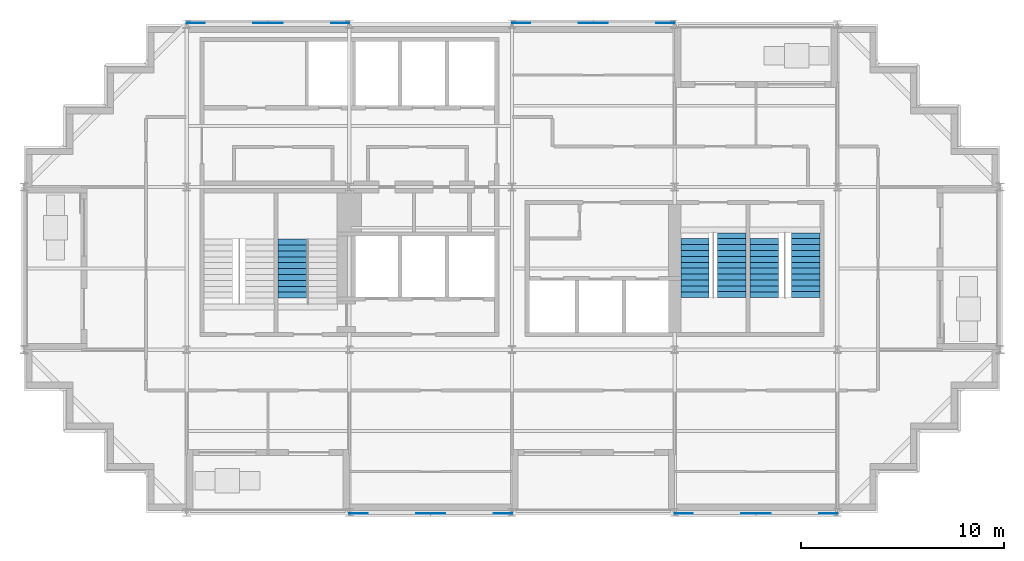
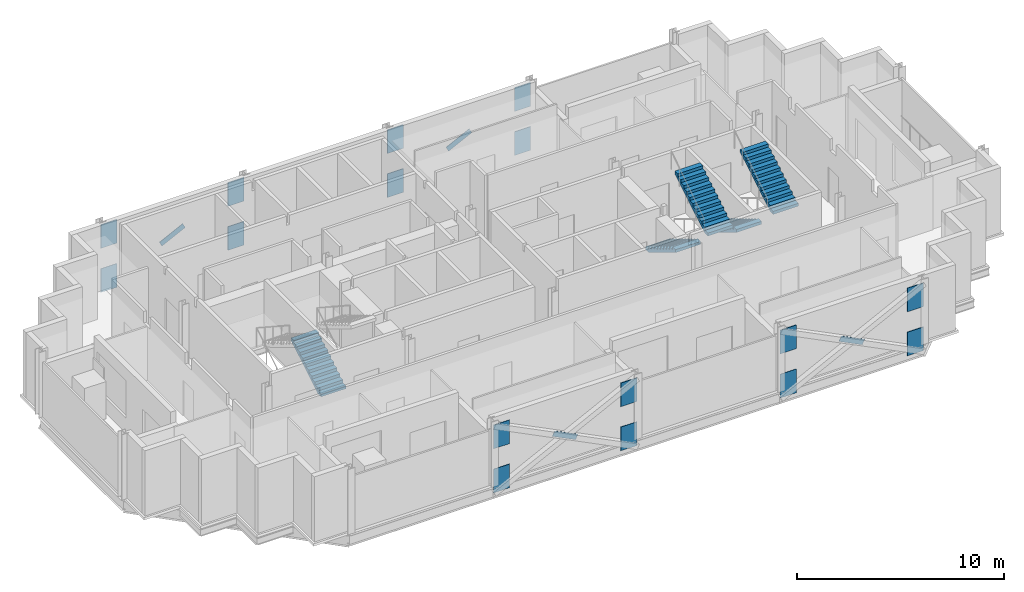
# One storey, part 8 of 10: 20 discrete accessories, 5 stair flights, 3 elements without a shape of their own.
"""IFC4 building model written with IfcOpenShell, lengths in metres."""

from ifc_helpers import new_model, si_unit, direction, frame, origin, origin_2d, place, context, subcontext, project, spatial, polyline, rectangle, outline, extrude, material, material_profile, profile_set, type_object, element, aggregate, save


model = new_model("IFC4")

# Units and contexts
model_context = context("Model", 3, precision=1e-05, world=origin(), true_north=direction((0.0, 1.0)))
body_context = subcontext(model_context, "Body", "Model", "MODEL_VIEW")
ifc_project = project(units=[si_unit("LENGTHUNIT", "METRE"), si_unit("AREAUNIT", "SQUARE_METRE"), si_unit("VOLUMEUNIT", "CUBIC_METRE"), si_unit("PLANEANGLEUNIT", "RADIAN"), si_unit("MASSUNIT", "GRAM", prefix="KILO")], contexts=[model_context])

# Site, building, storey
site_placement = place(None, origin())
site = spatial("IfcSite", under=ifc_project, at=site_placement, CompositionType="ELEMENT")
building_placement = place(site_placement, origin())
building = spatial("IfcBuilding", under=site, at=building_placement, Name="Immortelle Media Tower", CompositionType="ELEMENT")
storey_placement = place(building_placement, frame((0.0, 0.0, 259.0)))
storey = spatial("IfcBuildingStorey", under=building, at=storey_placement, Name="L56", CompositionType="ELEMENT", Elevation=259.0)

# Stair, stair flight
ifc_material_1 = material(Name="Steel ASTM A992 Gr 50", Category="steel")
stair_type = type_object("IfcStairType", Name="Stair with flights", PredefinedType="DOUBLE_RETURN_STAIR", material=ifc_material_1)
stair_1_placement = place(storey_placement, origin())
stair_1 = element("IfcStair", 1, at=stair_1_placement, inside=storey, type_object=stair_type, Name="Exit stair SW2", PredefinedType="DOUBLE_RETURN_STAIR")
stair_flight_type = type_object("IfcStairFlightType", Name="Stair flight 1400", PredefinedType="STRAIGHT", material=ifc_material_1)
stair_flight_1_placement = place(storey_placement, frame((13.199951171875, 10.5400390625, 0.0), z_axis=(0.0, 0.0, 1.0), x_axis=(0.0, 1.0, 0.0)))
stair_flight_1 = element("IfcStairFlight", 2, at=stair_flight_1_placement, type_object=stair_flight_type, Name="ST SW2 flight 1", NumberOfRisers=11, NumberOfTreads=10, PredefinedType="STRAIGHT", RiserHeight=0.173913043, TreadLength=0.29, context=body_context, shape_type="SweptSolid", body=[
    extrude(outline(polyline([(0.0, 0.0), (0.0, 0.173828125), (0.2900390625, 0.173828125), (0.2900390625, 0.347900390625), (0.580078125, 0.347900390625), (0.580078125, 0.521728515625), (0.8701171875, 0.521728515625), (0.8701171875, 0.695556640625), (1.159912109375, 0.695556640625), (1.159912109375, 0.86962890625), (1.449951171875, 0.86962890625), (1.449951171875, 1.04345703125), (1.739990234375, 1.04345703125), (1.739990234375, 1.21728515625), (2.030029296875, 1.21728515625), (2.030029296875, 1.391357421875), (2.320068359375, 1.391357421875), (2.320068359375, 1.565185546875), (2.610107421875, 1.565185546875), (2.610107421875, 1.739013671875), (2.89990234375, 1.739013671875), (2.89990234375, 1.9130859375), (2.89990234375, 1.564453125), (0.29150390625, 0.0), (0.0, 0.0)])), frame((0.0, 0.699951171875, 0.0), z_axis=(0.0, -1.0, 0.0), x_axis=(1.0, 0.0, 0.0)), (0.0, 0.0, 1.0), 1.39990234375),
])
aggregate(stair_1, [stair_flight_1])

# Stair, stair flights
stair_2_placement = place(storey_placement, origin())
stair_2 = element("IfcStair", 3, at=stair_2_placement, inside=storey, type_object=stair_type, Name="Exit stair SE1", PredefinedType="DOUBLE_RETURN_STAIR")
stair_flight_2_placement = place(storey_placement, frame((33.0, 13.4599609375, 0.0), z_axis=(0.0, 0.0, 1.0), x_axis=(0.0, -1.0, 0.0)))
stair_flight_2 = element("IfcStairFlight", 4, at=stair_flight_2_placement, type_object=stair_flight_type, Name="ST SE1 flight 1", NumberOfRisers=11, NumberOfTreads=10, PredefinedType="STRAIGHT", RiserHeight=0.173913043, TreadLength=0.29, context=body_context, shape_type="SweptSolid", body=[
    extrude(outline(polyline([(0.0, 0.0), (0.0, 0.173828125), (0.2900390625, 0.173828125), (0.2900390625, 0.347900390625), (0.580078125, 0.347900390625), (0.580078125, 0.521728515625), (0.8701171875, 0.521728515625), (0.8701171875, 0.695556640625), (1.159912109375, 0.695556640625), (1.159912109375, 0.86962890625), (1.449951171875, 0.86962890625), (1.449951171875, 1.04345703125), (1.739990234375, 1.04345703125), (1.739990234375, 1.21728515625), (2.030029296875, 1.21728515625), (2.030029296875, 1.391357421875), (2.320068359375, 1.391357421875), (2.320068359375, 1.565185546875), (2.610107421875, 1.565185546875), (2.610107421875, 1.739013671875), (2.89990234375, 1.739013671875), (2.89990234375, 1.9130859375), (2.89990234375, 1.564453125), (0.29150390625, 0.0), (0.0, 0.0)])), frame((0.0, 0.699951171875, 0.0), z_axis=(0.0, -1.0, 0.0), x_axis=(1.0, 0.0, 0.0)), (0.0, 0.0, 1.0), 1.39990234375),
])
stair_flight_3_placement = place(storey_placement, frame((34.800048828125, 10.56005859375, 1.9130859375), z_axis=(0.0, 0.0, 1.0), x_axis=(0.0, 1.0, 0.0)))
stair_flight_3 = element("IfcStairFlight", 5, at=stair_flight_3_placement, type_object=stair_flight_type, Name="ST SE1 flight 2", NumberOfRisers=12, NumberOfTreads=11, PredefinedType="STRAIGHT", RiserHeight=0.173913043, TreadLength=0.29, context=body_context, shape_type="SweptSolid", body=[
    extrude(outline(polyline([(0.0, 0.0), (0.0, 0.173828125), (0.2900390625, 0.173828125), (0.2900390625, 0.347900390625), (0.580078125, 0.347900390625), (0.580078125, 0.521728515625), (0.8701171875, 0.521728515625), (0.8701171875, 0.695556640625), (1.159912109375, 0.695556640625), (1.159912109375, 0.86962890625), (1.449951171875, 0.86962890625), (1.449951171875, 1.04345703125), (1.739990234375, 1.04345703125), (1.739990234375, 1.21728515625), (2.030029296875, 1.21728515625), (2.030029296875, 1.391357421875), (2.320068359375, 1.391357421875), (2.320068359375, 1.565185546875), (2.610107421875, 1.565185546875), (2.610107421875, 1.739013671875), (2.89990234375, 1.739013671875), (2.89990234375, 1.9130859375), (3.18994140625, 1.9130859375), (3.18994140625, 2.0869140625), (3.18994140625, 1.73828125), (0.29150390625, 0.0), (0.0, 0.0)])), frame((0.0, 0.699951171875, 0.0), z_axis=(0.0, -1.0, 0.0), x_axis=(1.0, 0.0, 0.0)), (0.0, 0.0, 1.0), 1.39990234375),
])
aggregate(stair_2, [stair_flight_2, stair_flight_3])

stair_3_placement = place(storey_placement, origin())
stair_3 = element("IfcStair", 6, at=stair_3_placement, inside=storey, type_object=stair_type, Name="Exit stair SE2", PredefinedType="DOUBLE_RETURN_STAIR")
stair_flight_4_placement = place(storey_placement, frame((36.39990234375, 13.4599609375, 0.0), z_axis=(0.0, 0.0, 1.0), x_axis=(0.0, -1.0, 0.0)))
stair_flight_4 = element("IfcStairFlight", 7, at=stair_flight_4_placement, type_object=stair_flight_type, Name="ST SE2 flight 1", NumberOfRisers=11, NumberOfTreads=10, PredefinedType="STRAIGHT", RiserHeight=0.173913043, TreadLength=0.29, context=body_context, shape_type="SweptSolid", body=[
    extrude(outline(polyline([(0.0, 0.0), (0.0, 0.173828125), (0.2900390625, 0.173828125), (0.2900390625, 0.347900390625), (0.580078125, 0.347900390625), (0.580078125, 0.521728515625), (0.8701171875, 0.521728515625), (0.8701171875, 0.695556640625), (1.159912109375, 0.695556640625), (1.159912109375, 0.86962890625), (1.449951171875, 0.86962890625), (1.449951171875, 1.04345703125), (1.739990234375, 1.04345703125), (1.739990234375, 1.21728515625), (2.030029296875, 1.21728515625), (2.030029296875, 1.391357421875), (2.320068359375, 1.391357421875), (2.320068359375, 1.565185546875), (2.610107421875, 1.565185546875), (2.610107421875, 1.739013671875), (2.89990234375, 1.739013671875), (2.89990234375, 1.9130859375), (2.89990234375, 1.564453125), (0.29150390625, 0.0), (0.0, 0.0)])), frame((0.0, 0.699951171875, 0.0), z_axis=(0.0, -1.0, 0.0), x_axis=(1.0, 0.0, 0.0)), (0.0, 0.0, 1.0), 1.39990234375),
])
stair_flight_5_placement = place(storey_placement, frame((38.449951171875, 10.56005859375, 1.9130859375), z_axis=(0.0, 0.0, 1.0), x_axis=(0.0, 1.0, 0.0)))
stair_flight_5 = element("IfcStairFlight", 8, at=stair_flight_5_placement, type_object=stair_flight_type, Name="ST SE2 flight 2", NumberOfRisers=12, NumberOfTreads=11, PredefinedType="STRAIGHT", RiserHeight=0.173913043, TreadLength=0.29, context=body_context, shape_type="SweptSolid", body=[
    extrude(outline(polyline([(0.0, 0.0), (0.0, 0.173828125), (0.2900390625, 0.173828125), (0.2900390625, 0.347900390625), (0.580078125, 0.347900390625), (0.580078125, 0.521728515625), (0.8701171875, 0.521728515625), (0.8701171875, 0.695556640625), (1.159912109375, 0.695556640625), (1.159912109375, 0.86962890625), (1.449951171875, 0.86962890625), (1.449951171875, 1.04345703125), (1.739990234375, 1.04345703125), (1.739990234375, 1.21728515625), (2.030029296875, 1.21728515625), (2.030029296875, 1.391357421875), (2.320068359375, 1.391357421875), (2.320068359375, 1.565185546875), (2.610107421875, 1.565185546875), (2.610107421875, 1.739013671875), (2.89990234375, 1.739013671875), (2.89990234375, 1.9130859375), (3.18994140625, 1.9130859375), (3.18994140625, 2.0869140625), (3.18994140625, 1.73828125), (0.29150390625, 0.0), (0.0, 0.0)])), frame((0.0, 0.699951171875, 0.0), z_axis=(0.0, -1.0, 0.0), x_axis=(1.0, 0.0, 0.0)), (0.0, 0.0, 1.0), 1.39990234375),
])
aggregate(stair_3, [stair_flight_4, stair_flight_5])

# Discrete accessories
ifc_material_2 = material(Name="Steel ASTM A572 Gr 50", Category="steel")
ifc_material_profile_1 = material_profile(ifc_material_2, rectangle(XDim=0.02392578125, YDim=0.304931640625, at=origin_2d()), Name="PL 24 x 305")
ifc_profile_set_1 = profile_set([ifc_material_profile_1], Name="Steel ASTM A572 Gr 50")
discrete_accessory_type_1 = type_object("IfcDiscreteAccessoryType", Name="Crossing plate XP-BR6 1450 x 305 x 24", PredefinedType="USERDEFINED", material=ifc_profile_set_1)
for number, where, z_axis, x_axis, name in (
    (9, (28.6484375, 24.0625, 1.8681640625), (-0.894427191, 0.0, -0.4472135955), (0.0, -1.0, 0.0), "Crossing plate XP-BR6 of Brace D/4-5 A and Brace D/4-5 B"),
    (10, (12.6484375, 24.0625, 1.8681640625), (-0.894427191, 0.0, -0.4472135955), (0.0, -1.0, 0.0), "Crossing plate XP-BR6 of Brace D/2-3 A and Brace D/2-3 B"),
    (11, (19.3515625, -0.0625, 1.8681640625), (0.894427191, 0.0, -0.4472135955), (0.0, 1.0, 0.0), "Crossing plate XP-BR6 of Brace A/3-4 A and Brace A/3-4 B"),
    (12, (35.3515625, -0.0625, 1.8681640625), (0.894427191, 0.0, -0.4472135955), (0.0, 1.0, 0.0), "Crossing plate XP-BR6 of Brace A/5-6 A and Brace A/5-6 B"),
):
    element("IfcDiscreteAccessory", number, at=place(storey_placement, frame(where, z_axis=z_axis, x_axis=x_axis)), inside=storey, type_object=discrete_accessory_type_1, Name=name, ObjectType="CROSSING PLATE", PredefinedType="USERDEFINED", context=body_context, shape_type="SweptSolid", body=[
        extrude(rectangle(XDim=0.02392578125, YDim=0.304931640625, at=origin_2d()), origin(), (0.0, 0.0, 1.0), 1.449951171875),
    ])
ifc_material_profile_2 = material_profile(ifc_material_2, rectangle(XDim=0.031982421875, YDim=1.39990234375, at=origin_2d()), Name="PL 32 x 1400")
ifc_profile_set_2 = profile_set([ifc_material_profile_2], Name="Steel ASTM A572 Gr 50")
discrete_accessory_type_2 = type_object("IfcDiscreteAccessoryType", Name="Gusset plate GP1 900 x 1400 x 32", PredefinedType="USERDEFINED", material=ifc_profile_set_2)
for number, where, z_axis, x_axis, name in (
    (13, (16.0, -0.0625, 0.243896484375), (1.0, 0.0, 0.0), (0.0, 1.0, 0.0), "Gusset plate GP1, lower end of Brace A/3-4 A"),
    (14, (24.0, -0.0625, 2.843994140625), (-1.0, 0.0, 0.0), (0.0, -1.0, 0.0), "Gusset plate GP1, upper end of Brace A/3-4 A"),
    (15, (24.0, -0.0625, 0.243896484375), (-1.0, 0.0, 0.0), (0.0, -1.0, 0.0), "Gusset plate GP1, lower end of Brace A/3-4 B"),
    (16, (16.0, -0.0625, 2.843994140625), (1.0, 0.0, 0.0), (0.0, 1.0, 0.0), "Gusset plate GP1, upper end of Brace A/3-4 B"),
    (17, (32.0, -0.0625, 0.243896484375), (1.0, 0.0, 0.0), (0.0, 1.0, 0.0), "Gusset plate GP1, lower end of Brace A/5-6 A"),
    (18, (40.0, -0.0625, 2.843994140625), (-1.0, 0.0, 0.0), (0.0, -1.0, 0.0), "Gusset plate GP1, upper end of Brace A/5-6 A"),
    (19, (40.0, -0.0625, 0.243896484375), (-1.0, 0.0, 0.0), (0.0, -1.0, 0.0), "Gusset plate GP1, lower end of Brace A/5-6 B"),
    (20, (32.0, -0.0625, 2.843994140625), (1.0, 0.0, 0.0), (0.0, 1.0, 0.0), "Gusset plate GP1, upper end of Brace A/5-6 B"),
    (21, (32.0, 24.0625, 0.243896484375), (-1.0, 0.0, 0.0), (0.0, -1.0, 0.0), "Gusset plate GP1, lower end of Brace D/4-5 A"),
    (22, (24.0, 24.0625, 2.843994140625), (1.0, 0.0, 0.0), (0.0, 1.0, 0.0), "Gusset plate GP1, upper end of Brace D/4-5 A"),
    (23, (24.0, 24.0625, 0.243896484375), (1.0, 0.0, 0.0), (0.0, 1.0, 0.0), "Gusset plate GP1, lower end of Brace D/4-5 B"),
    (24, (32.0, 24.0625, 2.843994140625), (-1.0, 0.0, 0.0), (0.0, -1.0, 0.0), "Gusset plate GP1, upper end of Brace D/4-5 B"),
    (25, (16.0, 24.0625, 0.243896484375), (-1.0, 0.0, 0.0), (0.0, -1.0, 0.0), "Gusset plate GP1, lower end of Brace D/2-3 A"),
    (26, (8.0, 24.0625, 2.843994140625), (1.0, 0.0, 0.0), (0.0, 1.0, 0.0), "Gusset plate GP1, upper end of Brace D/2-3 A"),
    (27, (8.0, 24.0625, 0.243896484375), (1.0, 0.0, 0.0), (0.0, 1.0, 0.0), "Gusset plate GP1, lower end of Brace D/2-3 B"),
    (28, (16.0, 24.0625, 2.843994140625), (-1.0, 0.0, 0.0), (0.0, -1.0, 0.0), "Gusset plate GP1, upper end of Brace D/2-3 B"),
):
    element("IfcDiscreteAccessory", number, at=place(storey_placement, frame(where, z_axis=z_axis, x_axis=x_axis)), inside=storey, type_object=discrete_accessory_type_2, Name=name, ObjectType="GUSSET PLATE", PredefinedType="USERDEFINED", context=body_context, shape_type="SweptSolid", body=[
        extrude(rectangle(XDim=0.031982421875, YDim=1.39990234375, at=origin_2d()), origin(), (0.0, 0.0, 1.0), 0.89990234375),
    ])

save(model, "model.ifc")
